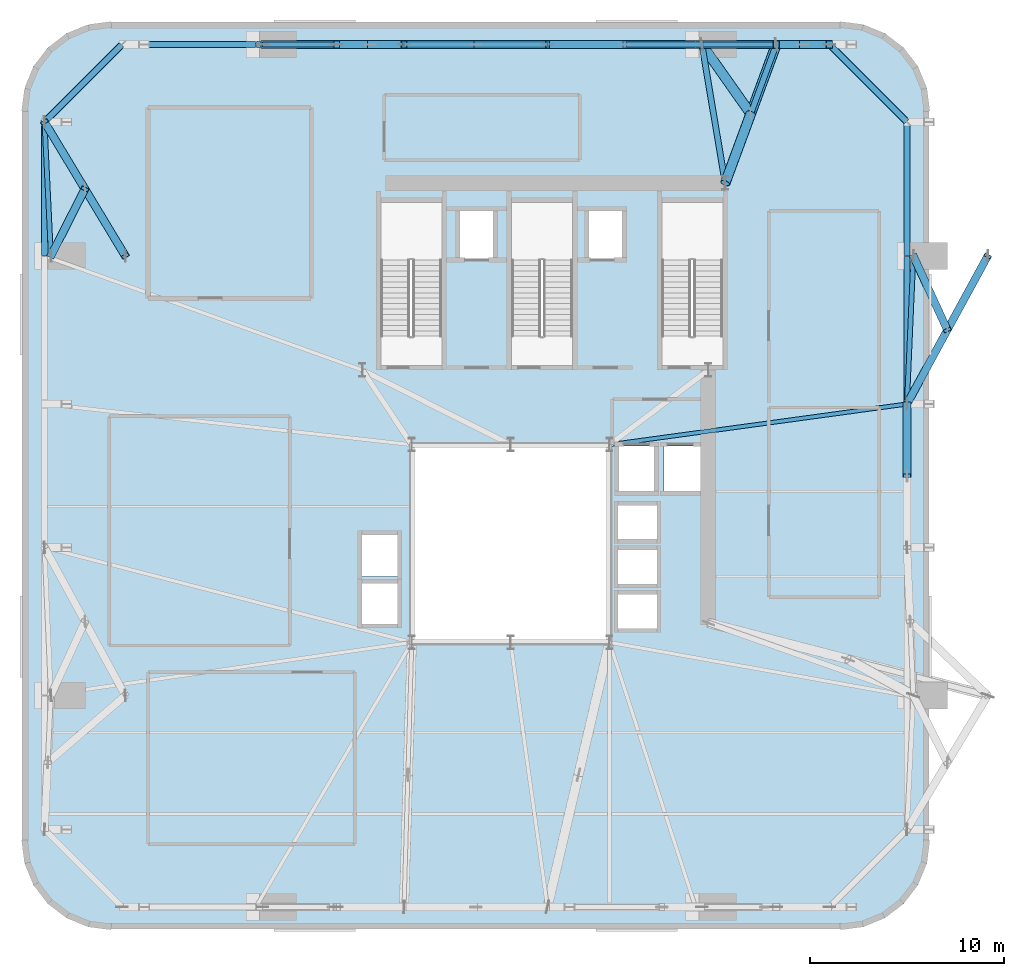
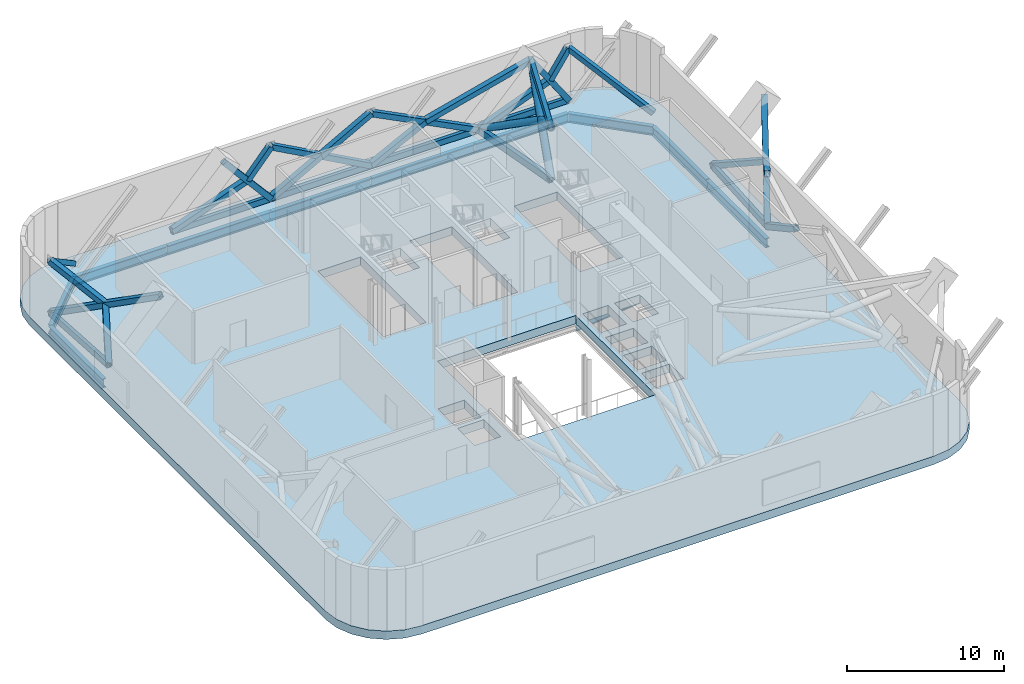
# One storey, part 5 of 14: 32 members, 11 beams, 1 slab.
"""IFC4 building model written with IfcOpenShell, lengths in metres."""

from ifc_helpers import new_model, si_unit, direction, frame, origin, origin_2d, place, context, subcontext, project, spatial, polyline, hollow_rectangle, hollow_circle, i_section, outline, extrude, source, transform, mapped, material, layer, layer_set, material_profile, profile_set, type_object, element, save


model = new_model("IFC4")

# Units and contexts
model_context = context("Model", 3, precision=1e-05, world=origin(), true_north=direction((0.0, 1.0)))
body_context = subcontext(model_context, "Body", "Model", "MODEL_VIEW")
ifc_project = project(units=[si_unit("LENGTHUNIT", "METRE"), si_unit("AREAUNIT", "SQUARE_METRE"), si_unit("VOLUMEUNIT", "CUBIC_METRE"), si_unit("PLANEANGLEUNIT", "RADIAN"), si_unit("MASSUNIT", "GRAM", prefix="KILO")], contexts=[model_context])

# Site, building, storey
site_placement = place(None, origin())
site = spatial("IfcSite", under=ifc_project, at=site_placement, CompositionType="ELEMENT")
building_placement = place(site_placement, origin())
building = spatial("IfcBuilding", under=site, at=building_placement, Name="Vardaveli Station Tower", CompositionType="ELEMENT")
storey_placement = place(building_placement, frame((0.0, 0.0, 237.300048828125)))
storey = spatial("IfcBuildingStorey", under=building, at=storey_placement, Name="L61", CompositionType="ELEMENT", Elevation=237.300048828125)

# Beams
ifc_material_1 = material(Name="Structural steel S460M", Category="steel")
ifc_material_profile_1 = material_profile(ifc_material_1, i_section(OverallWidth=0.303955078125, OverallDepth=0.716064453125, WebThickness=0.02099609375, FlangeThickness=0.0400390625, FilletRadius=0.027099609375, at=origin_2d()), Name="HEM 700")
ifc_profile_set_1 = profile_set([ifc_material_profile_1], Name="Structural steel S460M")
beam_type_1 = type_object("IfcBeamType", Name="BM-HEM700", PredefinedType="BEAM", material=ifc_profile_set_1)
shared_shape_1 = source(origin(), body_context, "Body", "SweptSolid", [
    extrude(i_section(OverallWidth=0.303955078125, OverallDepth=0.716064453125, WebThickness=0.02099609375, FlangeThickness=0.0400390625, FilletRadius=0.027099609375, at=origin_2d()), origin(), (0.0, 0.0, 1.0), 7.60009765625),
])
for number, where, z_axis, x_axis, name in (
    (1, (56.75, 28.919921875, -1.008056640625), (0.0, 1.0, 0.0), (-1.0, 0.0, 0.0), "RBM-L61-09"),
    (2, (45.820068359375, 47.449951171875, -1.008056640625), (-1.0, 0.0, 0.0), (0.0, -1.0, 0.0), "RBM-L61-13"),
    (3, (30.780029296875, 47.449951171875, -1.008056640625), (-1.0, 0.0, 0.0), (0.0, -1.0, 0.0), "RBM-L61-15"),
):
    element("IfcBeam", number, at=place(storey_placement, frame(where, z_axis=z_axis, x_axis=x_axis)), inside=storey, type_object=beam_type_1, Name=name, PredefinedType="BEAM", context=body_context, shape_type="MappedRepresentation", body=[
        mapped(shared_shape_1, transform((0.0, 0.0, 0.0), scale=1.0)),
    ])
shared_shape_2 = source(origin(), body_context, "Body", "SweptSolid", [
    extrude(i_section(OverallWidth=0.303955078125, OverallDepth=0.716064453125, WebThickness=0.02099609375, FlangeThickness=0.0400390625, FilletRadius=0.027099609375, at=origin_2d()), origin(), (0.0, 0.0, 1.0), 7.35986328125),
])
beam_1_placement = place(storey_placement, frame((38.179931640625, 47.449951171875, -1.008056640625), z_axis=(-1.0, 0.0, 0.0), x_axis=(0.0, -1.0, 0.0)))
element("IfcBeam", 4, at=beam_1_placement, inside=storey, type_object=beam_type_1, Name="RBM-L61-14", PredefinedType="BEAM", context=body_context, shape_type="MappedRepresentation", body=[
    mapped(shared_shape_2, transform((0.0, 0.0, 0.0), scale=1.0)),
])
shared_shape_3 = source(origin(), body_context, "Body", "SweptSolid", [
    extrude(i_section(OverallWidth=0.303955078125, OverallDepth=0.716064453125, WebThickness=0.02099609375, FlangeThickness=0.0400390625, FilletRadius=0.027099609375, at=origin_2d()), origin(), (0.0, 0.0, 1.0), 6.869873046875),
])
for number, where, z_axis, x_axis, name in (
    (5, (56.75, 36.56005859375, -1.008056640625), (0.0, 1.0, 0.0), (-1.0, 0.0, 0.0), "RBM-L61-10"),
    (6, (52.72998046875, 47.449951171875, -1.008056640625), (-1.0, 0.0, 0.0), (0.0, -1.0, 0.0), "RBM-L61-12"),
    (7, (23.139892578125, 47.449951171875, -1.008056640625), (-1.0, 0.0, 0.0), (0.0, -1.0, 0.0), "RBM-L61-16"),
    (8, (12.25, 43.429931640625, -1.008056640625), (0.0, -1.0, 0.0), (1.0, 0.0, 0.0), "RBM-L61-18"),
):
    element("IfcBeam", number, at=place(storey_placement, frame(where, z_axis=z_axis, x_axis=x_axis)), inside=storey, type_object=beam_type_1, Name=name, PredefinedType="BEAM", context=body_context, shape_type="MappedRepresentation", body=[
        mapped(shared_shape_3, transform((0.0, 0.0, 0.0), scale=1.0)),
    ])
shared_shape_4 = source(origin(), body_context, "Body", "SweptSolid", [
    extrude(i_section(OverallWidth=0.303955078125, OverallDepth=0.716064453125, WebThickness=0.02099609375, FlangeThickness=0.0400390625, FilletRadius=0.027099609375, at=origin_2d()), origin(), (0.0, 0.0, 1.0), 5.61669921875),
])
for number, where, z_axis, x_axis, name in (
    (9, (56.73583984375, 43.464111328125, -1.008056640625), (-0.707106781187, 0.707106781187, 0.0), (-0.707106781187, -0.707106781187, 0.0), "RBM-L61-11"),
    (10, (16.23583984375, 47.435791015625, -1.008056640625), (-0.707106781187, -0.707106781187, 0.0), (0.707106781187, -0.707106781187, 0.0), "RBM-L61-17"),
):
    element("IfcBeam", number, at=place(storey_placement, frame(where, z_axis=z_axis, x_axis=x_axis)), inside=storey, type_object=beam_type_1, Name=name, PredefinedType="BEAM", context=body_context, shape_type="MappedRepresentation", body=[
        mapped(shared_shape_4, transform((0.0, 0.0, 0.0), scale=1.0)),
    ])
ifc_material_2 = material(Name="Structural steel S355J2", Category="steel")
ifc_material_profile_2 = material_profile(ifc_material_2, i_section(OverallWidth=0.2099609375, OverallDepth=0.550048828125, WebThickness=0.010986328125, FlangeThickness=0.01708984375, FilletRadius=0.02392578125, at=origin_2d()), Name="IPE 550")
ifc_profile_set_2 = profile_set([ifc_material_profile_2], Name="Structural steel S355J2")
beam_type_2 = type_object("IfcBeamType", Name="BM-IPE550", PredefinedType="BEAM", material=ifc_profile_set_2)
shared_shape_5 = source(origin(), body_context, "Body", "SweptSolid", [
    extrude(i_section(OverallWidth=0.2099609375, OverallDepth=0.550048828125, WebThickness=0.010986328125, FlangeThickness=0.01708984375, FilletRadius=0.02392578125, at=origin_2d()), origin(), (0.0, 0.0, 1.0), 15.452880859375),
])
beam_2_placement = place(storey_placement, frame((56.730224609375, 28.897216796875, -0.925048828125), z_axis=(-0.99077191151, -0.135539733521, 0.0), x_axis=(0.135539733521, -0.99077191151, 0.0)))
element("IfcBeam", 11, at=beam_2_placement, inside=storey, type_object=beam_type_2, Name="GBM-L61-07", PredefinedType="BEAM", context=body_context, shape_type="MappedRepresentation", body=[
    mapped(shared_shape_5, transform((0.0, 0.0, 0.0), scale=1.0)),
])

# Members
ifc_material_profile_3 = material_profile(ifc_material_1, hollow_rectangle(XDim=0.25, YDim=0.449951171875, WallThickness=0.01611328125, at=origin_2d()), Name="RHS 450x250x16")
ifc_profile_set_3 = profile_set([ifc_material_profile_3], Name="Structural steel S460M")
member_type_1 = type_object("IfcMemberType", Name="MEM-CH-RHS450", PredefinedType="CHORD", material=ifc_profile_set_3)
shared_shape_6 = source(origin(), body_context, "Body", "SweptSolid", [
    extrude(hollow_rectangle(XDim=0.25, YDim=0.449951171875, WallThickness=0.01611328125, at=origin_2d()), origin(), (0.0, 0.0, 1.0), 7.308349609375),
])
member_1_placement = place(storey_placement, frame((30.800048828125, 47.449951171875, 0.349853515625), z_axis=(-1.0, 0.0, 0.0), x_axis=(0.0, -1.0, 0.0)))
element("IfcMember", 12, at=member_1_placement, inside=storey, type_object=member_type_1, Name="BLT-L61-CH-12", PredefinedType="CHORD", context=body_context, shape_type="MappedRepresentation", body=[
    mapped(shared_shape_6, transform((0.0, 0.0, 0.0), scale=1.0)),
])
shared_shape_7 = source(origin(), body_context, "Body", "SweptSolid", [
    extrude(hollow_rectangle(XDim=0.25, YDim=0.449951171875, WallThickness=0.01611328125, at=origin_2d()), origin(), (0.0, 0.0, 1.0), 7.39990234375),
])
member_2_placement = place(storey_placement, frame((38.199951171875, 47.449951171875, 0.349853515625), z_axis=(-1.0, 0.0, 0.0), x_axis=(0.0, -1.0, 0.0)))
element("IfcMember", 13, at=member_2_placement, inside=storey, type_object=member_type_1, Name="BLT-L61-CH-11", PredefinedType="CHORD", context=body_context, shape_type="MappedRepresentation", body=[
    mapped(shared_shape_7, transform((0.0, 0.0, 0.0), scale=1.0)),
])
ifc_material_profile_4 = material_profile(ifc_material_1, hollow_rectangle(XDim=0.39990234375, YDim=0.39990234375, WallThickness=0.02001953125, at=origin_2d()), Name="RHS 400x400x20")
ifc_profile_set_4 = profile_set([ifc_material_profile_4], Name="Structural steel S460M")
member_type_2 = type_object("IfcMemberType", Name="MEM-BR-RHS400", PredefinedType="BRACE", material=ifc_profile_set_4)
shared_shape_8 = source(origin(), body_context, "Body", "SweptSolid", [
    extrude(hollow_rectangle(XDim=0.39990234375, YDim=0.39990234375, WallThickness=0.02001953125, at=origin_2d()), origin(), (0.0, 0.0, 1.0), 8.435791015625),
])
member_3_placement = place(storey_placement, frame((38.199951171875, 47.449951171875, 0.349853515625), z_axis=(-0.877210039359, 0.0, 0.480106807751), x_axis=(0.0, -1.0, 0.0)))
element("IfcMember", 14, at=member_3_placement, inside=storey, type_object=member_type_2, Name="BLT-L61-D1-11", PredefinedType="BRACE", context=body_context, shape_type="MappedRepresentation", body=[
    mapped(shared_shape_8, transform((0.0, 0.0, 0.0), scale=1.0)),
])
shared_shape_9 = source(origin(), body_context, "Body", "SweptSolid", [
    extrude(hollow_rectangle(XDim=0.39990234375, YDim=0.39990234375, WallThickness=0.02001953125, at=origin_2d()), origin(), (0.0, 0.0, 1.0), 4.218017578125),
])
for number, where, z_axis, x_axis, name in (
    (15, (56.75, 28.89990234375, 0.349853515625), (0.0, -0.877197850497, 0.480129077524), (1.0, 0.0, 0.0), "BLT-L61-D2A-07"),
    (16, (30.800048828125, 47.449951171875, 0.349853515625), (0.877197850497, 0.0, 0.480129077524), (0.0, 1.0, 0.0), "BLT-L61-D2A-11"),
):
    element("IfcMember", number, at=place(storey_placement, frame(where, z_axis=z_axis, x_axis=x_axis)), inside=storey, type_object=member_type_2, Name=name, PredefinedType="BRACE", context=body_context, shape_type="MappedRepresentation", body=[
        mapped(shared_shape_9, transform((0.0, 0.0, 0.0), scale=1.0)),
    ])
shared_shape_10 = source(origin(), body_context, "Body", "SweptSolid", [
    extrude(hollow_rectangle(XDim=0.39990234375, YDim=0.39990234375, WallThickness=0.02001953125, at=origin_2d()), origin(), (0.0, 0.0, 1.0), 4.2177734375),
])
member_4_placement = place(storey_placement, frame((34.5, 47.449951171875, 2.375), z_axis=(0.877222227994, 0.0, 0.480084537049), x_axis=(0.0, 1.0, 0.0)))
element("IfcMember", 17, at=member_4_placement, inside=storey, type_object=member_type_2, Name="BLT-L61-D2B-11", PredefinedType="BRACE", context=body_context, shape_type="MappedRepresentation", body=[
    mapped(shared_shape_10, transform((0.0, 0.0, 0.0), scale=1.0)),
])
shared_shape_11 = source(origin(), body_context, "Body", "SweptSolid", [
    extrude(hollow_rectangle(XDim=0.25, YDim=0.449951171875, WallThickness=0.01611328125, at=origin_2d()), origin(), (0.0, 0.0, 1.0), 7.9716796875),
])
member_5_placement = place(storey_placement, frame((46.171630859375, 47.449951171875, 0.349853515625), z_axis=(-1.0, 0.0, 0.0), x_axis=(0.0, -1.0, 0.0)))
element("IfcMember", 18, at=member_5_placement, inside=storey, type_object=member_type_1, Name="BLT-L61-CH-10", PredefinedType="CHORD", context=body_context, shape_type="MappedRepresentation", body=[
    mapped(shared_shape_11, transform((0.0, 0.0, 0.0), scale=1.0)),
])
shared_shape_12 = source(origin(), body_context, "Body", "SweptSolid", [
    extrude(hollow_rectangle(XDim=0.25, YDim=0.449951171875, WallThickness=0.01611328125, at=origin_2d()), origin(), (0.0, 0.0, 1.0), 6.578369140625),
])
member_6_placement = place(storey_placement, frame((52.75, 47.449951171875, 0.349853515625), z_axis=(-1.0, 0.0, 0.0), x_axis=(0.0, -1.0, 0.0)))
element("IfcMember", 19, at=member_6_placement, inside=storey, type_object=member_type_1, Name="BLT-L61-CH-09", PredefinedType="CHORD", context=body_context, shape_type="MappedRepresentation", body=[
    mapped(shared_shape_12, transform((0.0, 0.0, 0.0), scale=1.0)),
])
shared_shape_13 = source(origin(), body_context, "Body", "SweptSolid", [
    extrude(hollow_rectangle(XDim=0.39990234375, YDim=0.39990234375, WallThickness=0.02001953125, at=origin_2d()), origin(), (0.0, 0.0, 1.0), 4.37158203125),
])
member_7_placement = place(storey_placement, frame((12.58154296875, 36.5400390625, 0.349853515625), z_axis=(0.400927479956, 0.790350424341, 0.463253022181), x_axis=(-0.89181581989, 0.452398655384, 0.0)))
element("IfcMember", 20, at=member_7_placement, inside=storey, type_object=member_type_2, Name="BLT-L61-D2A-13", PredefinedType="BRACE", context=body_context, shape_type="MappedRepresentation", body=[
    mapped(shared_shape_13, transform((0.0, 0.0, 0.0), scale=1.0)),
])
shared_shape_14 = source(origin(), body_context, "Body", "SweptSolid", [
    extrude(hollow_rectangle(XDim=0.25, YDim=0.449951171875, WallThickness=0.01611328125, at=origin_2d()), origin(), (0.0, 0.0, 1.0), 7.647216796875),
])
member_8_placement = place(storey_placement, frame((56.75, 28.89990234375, 0.349853515625), z_axis=(0.043354098753, 0.999059769044, 0.0), x_axis=(-0.999059769044, 0.043354098753, 0.0)))
element("IfcMember", 21, at=member_8_placement, inside=storey, type_object=member_type_1, Name="BLT-L61-CH-08", PredefinedType="CHORD", context=body_context, shape_type="MappedRepresentation", body=[
    mapped(shared_shape_14, transform((0.0, 0.0, 0.0), scale=1.0)),
])
shared_shape_15 = source(origin(), body_context, "Body", "SweptSolid", [
    extrude(hollow_rectangle(XDim=0.39990234375, YDim=0.39990234375, WallThickness=0.02001953125, at=origin_2d()), origin(), (0.0, 0.0, 1.0), 9.599609375),
])
member_9_placement = place(storey_placement, frame((56.75, 28.89990234375, 0.349853515625), z_axis=(0.434236376103, 0.795888084442, 0.421901560453), x_axis=(-0.877841965924, 0.478950397079, 0.0)))
element("IfcMember", 22, at=member_9_placement, inside=storey, type_object=member_type_2, Name="BLT-L61-D1-08", PredefinedType="BRACE", context=body_context, shape_type="MappedRepresentation", body=[
    mapped(shared_shape_15, transform((0.0, 0.0, 0.0), scale=1.0)),
])
shared_shape_16 = source(origin(), body_context, "Body", "SweptSolid", [
    extrude(hollow_rectangle(XDim=0.39990234375, YDim=0.39990234375, WallThickness=0.02001953125, at=origin_2d()), origin(), (0.0, 0.0, 1.0), 4.66552734375),
])
member_10_placement = place(storey_placement, frame((57.08154296875, 36.5400390625, 0.349853515625), z_axis=(0.375676667061, -0.818806631773, 0.434076884423), x_axis=(0.908900656286, 0.417012706045, 0.0)))
element("IfcMember", 23, at=member_10_placement, inside=storey, type_object=member_type_2, Name="BLT-L61-D2A-08", PredefinedType="BRACE", context=body_context, shape_type="MappedRepresentation", body=[
    mapped(shared_shape_16, transform((0.0, 0.0, 0.0), scale=1.0)),
])
shared_shape_17 = source(origin(), body_context, "Body", "SweptSolid", [
    extrude(hollow_rectangle(XDim=0.39990234375, YDim=0.39990234375, WallThickness=0.02001953125, at=origin_2d()), origin(), (0.0, 0.0, 1.0), 4.7998046875),
])
member_11_placement = place(storey_placement, frame((58.834228515625, 32.719970703125, 2.375), z_axis=(-0.434241035419, -0.795896624247, 0.421880654535), x_axis=(0.877841965924, -0.478950397079, 0.0)))
element("IfcMember", 24, at=member_11_placement, inside=storey, type_object=member_type_2, Name="BLT-L61-D2B-08", PredefinedType="BRACE", context=body_context, shape_type="MappedRepresentation", body=[
    mapped(shared_shape_17, transform((0.0, 0.0, 0.0), scale=1.0)),
])
shared_shape_18 = source(origin(), body_context, "Body", "SweptSolid", [
    extrude(hollow_rectangle(XDim=0.39990234375, YDim=0.39990234375, WallThickness=0.02001953125, at=origin_2d()), origin(), (0.0, 0.0, 1.0), 4.890869140625),
])
member_12_placement = place(storey_placement, frame((52.75, 47.449951171875, 0.349853515625), z_axis=(-0.560584317928, 0.0, 0.828097350855), x_axis=(0.0, -1.0, 0.0)))
element("IfcMember", 25, at=member_12_placement, inside=storey, type_object=member_type_2, Name="BLT-L61-D1-09", PredefinedType="BRACE", context=body_context, shape_type="MappedRepresentation", body=[
    mapped(shared_shape_18, transform((0.0, 0.0, 0.0), scale=1.0)),
])
shared_shape_19 = source(origin(), body_context, "Body", "SweptSolid", [
    extrude(hollow_rectangle(XDim=0.39990234375, YDim=0.39990234375, WallThickness=0.02001953125, at=origin_2d()), origin(), (0.0, 0.0, 1.0), 5.58740234375),
])
member_13_placement = place(storey_placement, frame((46.171630859375, 47.449951171875, 0.349853515625), z_axis=(0.932004671541, 0.0, 0.362446261155), x_axis=(0.0, 1.0, 0.0)))
element("IfcMember", 26, at=member_13_placement, inside=storey, type_object=member_type_2, Name="BLT-L61-D2A-09", PredefinedType="BRACE", context=body_context, shape_type="MappedRepresentation", body=[
    mapped(shared_shape_19, transform((0.0, 0.0, 0.0), scale=1.0)),
])
shared_shape_20 = source(origin(), body_context, "Body", "SweptSolid", [
    extrude(hollow_rectangle(XDim=0.39990234375, YDim=0.39990234375, WallThickness=0.02001953125, at=origin_2d()), origin(), (0.0, 0.0, 1.0), 2.4453125),
])
member_14_placement = place(storey_placement, frame((51.379150390625, 47.449951171875, 2.375), z_axis=(0.560607491734, 0.0, 0.828081662768), x_axis=(0.0, 1.0, 0.0)))
element("IfcMember", 27, at=member_14_placement, inside=storey, type_object=member_type_2, Name="BLT-L61-D2B-09", PredefinedType="BRACE", context=body_context, shape_type="MappedRepresentation", body=[
    mapped(shared_shape_20, transform((0.0, 0.0, 0.0), scale=1.0)),
])
shared_shape_21 = source(origin(), body_context, "Body", "SweptSolid", [
    extrude(hollow_rectangle(XDim=0.39990234375, YDim=0.39990234375, WallThickness=0.02001953125, at=origin_2d()), origin(), (0.0, 0.0, 1.0), 8.94140625),
])
member_15_placement = place(storey_placement, frame((46.171630859375, 47.449951171875, 0.349853515625), z_axis=(-0.891536341157, 0.0, 0.452949171979), x_axis=(0.0, -1.0, 0.0)))
element("IfcMember", 28, at=member_15_placement, inside=storey, type_object=member_type_2, Name="BLT-L61-D1-10", PredefinedType="BRACE", context=body_context, shape_type="MappedRepresentation", body=[
    mapped(shared_shape_21, transform((0.0, 0.0, 0.0), scale=1.0)),
])
shared_shape_22 = source(origin(), body_context, "Body", "SweptSolid", [
    extrude(hollow_rectangle(XDim=0.39990234375, YDim=0.39990234375, WallThickness=0.02001953125, at=origin_2d()), origin(), (0.0, 0.0, 1.0), 4.470703125),
])
member_16_placement = place(storey_placement, frame((38.199951171875, 47.449951171875, 0.349853515625), z_axis=(0.891525315034, 0.0, 0.452970873956), x_axis=(0.0, 1.0, 0.0)))
element("IfcMember", 29, at=member_16_placement, inside=storey, type_object=member_type_2, Name="BLT-L61-D2A-10", PredefinedType="BRACE", context=body_context, shape_type="MappedRepresentation", body=[
    mapped(shared_shape_22, transform((0.0, 0.0, 0.0), scale=1.0)),
])
shared_shape_23 = source(origin(), body_context, "Body", "SweptSolid", [
    extrude(hollow_rectangle(XDim=0.39990234375, YDim=0.39990234375, WallThickness=0.02001953125, at=origin_2d()), origin(), (0.0, 0.0, 1.0), 8.080322265625),
])
member_17_placement = place(storey_placement, frame((42.185791015625, 47.449951171875, 2.375), z_axis=(0.968091704543, 0.0, 0.2505961923), x_axis=(0.0, 1.0, 0.0)))
element("IfcMember", 30, at=member_17_placement, inside=storey, type_object=member_type_2, Name="BLT-L61-D2B-10", PredefinedType="BRACE", context=body_context, shape_type="MappedRepresentation", body=[
    mapped(shared_shape_23, transform((0.0, 0.0, 0.0), scale=1.0)),
])
shared_shape_24 = source(origin(), body_context, "Body", "SweptSolid", [
    extrude(hollow_rectangle(XDim=0.39990234375, YDim=0.39990234375, WallThickness=0.02001953125, at=origin_2d()), origin(), (0.0, 0.0, 1.0), 5.33447265625),
])
member_18_placement = place(storey_placement, frame((30.800048828125, 47.449951171875, 0.349853515625), z_axis=(-0.650813987701, 0.0, 0.759237218142), x_axis=(0.0, -1.0, 0.0)))
element("IfcMember", 31, at=member_18_placement, inside=storey, type_object=member_type_2, Name="BLT-L61-D1-12", PredefinedType="BRACE", context=body_context, shape_type="MappedRepresentation", body=[
    mapped(shared_shape_24, transform((0.0, 0.0, 0.0), scale=1.0)),
])
shared_shape_25 = source(origin(), body_context, "Body", "SweptSolid", [
    extrude(hollow_rectangle(XDim=0.39990234375, YDim=0.39990234375, WallThickness=0.02001953125, at=origin_2d()), origin(), (0.0, 0.0, 1.0), 5.92919921875),
])
member_19_placement = place(storey_placement, frame((23.49169921875, 47.449951171875, 0.349853515625), z_axis=(0.93985952916, 0.0, 0.341561217716), x_axis=(0.0, 1.0, 0.0)))
element("IfcMember", 32, at=member_19_placement, inside=storey, type_object=member_type_2, Name="BLT-L61-D2A-12", PredefinedType="BRACE", context=body_context, shape_type="MappedRepresentation", body=[
    mapped(shared_shape_25, transform((0.0, 0.0, 0.0), scale=1.0)),
])
shared_shape_26 = source(origin(), body_context, "Body", "SweptSolid", [
    extrude(hollow_rectangle(XDim=0.39990234375, YDim=0.39990234375, WallThickness=0.02001953125, at=origin_2d()), origin(), (0.0, 0.0, 1.0), 2.6669921875),
])
member_20_placement = place(storey_placement, frame((29.064208984375, 47.449951171875, 2.375), z_axis=(0.650836602941, 0.0, 0.759217831898), x_axis=(0.0, 1.0, 0.0)))
element("IfcMember", 33, at=member_20_placement, inside=storey, type_object=member_type_2, Name="BLT-L61-D2B-12", PredefinedType="BRACE", context=body_context, shape_type="MappedRepresentation", body=[
    mapped(shared_shape_26, transform((0.0, 0.0, 0.0), scale=1.0)),
])
shared_shape_27 = source(origin(), body_context, "Body", "SweptSolid", [
    extrude(hollow_rectangle(XDim=0.25, YDim=0.449951171875, WallThickness=0.01611328125, at=origin_2d()), origin(), (0.0, 0.0, 1.0), 6.91796875),
])
member_21_placement = place(storey_placement, frame((12.25, 43.449951171875, 0.349853515625), z_axis=(0.047925645, -0.998850906067, 0.0), x_axis=(0.998850906067, 0.047925645, 0.0)))
element("IfcMember", 34, at=member_21_placement, inside=storey, type_object=member_type_1, Name="BLT-L61-CH-13", PredefinedType="CHORD", context=body_context, shape_type="MappedRepresentation", body=[
    mapped(shared_shape_27, transform((0.0, 0.0, 0.0), scale=1.0)),
])
shared_shape_28 = source(origin(), body_context, "Body", "SweptSolid", [
    extrude(hollow_rectangle(XDim=0.39990234375, YDim=0.39990234375, WallThickness=0.02001953125, at=origin_2d()), origin(), (0.0, 0.0, 1.0), 9.029052734375),
])
member_22_placement = place(storey_placement, frame((12.25, 43.449951171875, 0.349853515625), z_axis=(0.46166585472, -0.765288080482, 0.448551883797), x_axis=(0.856259874357, 0.516545281234, 0.0)))
element("IfcMember", 35, at=member_22_placement, inside=storey, type_object=member_type_2, Name="BLT-L61-D1-13", PredefinedType="BRACE", context=body_context, shape_type="MappedRepresentation", body=[
    mapped(shared_shape_28, transform((0.0, 0.0, 0.0), scale=1.0)),
])
shared_shape_29 = source(origin(), body_context, "Body", "SweptSolid", [
    extrude(hollow_rectangle(XDim=0.39990234375, YDim=0.39990234375, WallThickness=0.02001953125, at=origin_2d()), origin(), (0.0, 0.0, 1.0), 4.514404296875),
])
member_23_placement = place(storey_placement, frame((14.334228515625, 39.9951171875, 2.375), z_axis=(-0.461681007537, 0.765286158798, 0.448539566184), x_axis=(-0.856251801881, -0.516558662473, 0.0)))
element("IfcMember", 36, at=member_23_placement, inside=storey, type_object=member_type_2, Name="BLT-L61-D2B-13", PredefinedType="BRACE", context=body_context, shape_type="MappedRepresentation", body=[
    mapped(shared_shape_29, transform((0.0, 0.0, 0.0), scale=1.0)),
])
ifc_material_profile_5 = material_profile(ifc_material_1, hollow_rectangle(XDim=0.35009765625, YDim=0.35009765625, WallThickness=0.01611328125, at=origin_2d()), Name="RHS 350x350x16")
ifc_profile_set_5 = profile_set([ifc_material_profile_5], Name="Structural steel S460M")
member_type_3 = type_object("IfcMemberType", Name="MEM-ST-RHS350", PredefinedType="STRUT", material=ifc_profile_set_5)
shared_shape_30 = source(origin(), body_context, "Body", "SweptSolid", [
    extrude(hollow_rectangle(XDim=0.35009765625, YDim=0.35009765625, WallThickness=0.01611328125, at=origin_2d()), origin(), (0.0, 0.0, 1.0), 6.957275390625),
])
for number, where, z_axis, x_axis, name in (
    (37, (56.75, 43.449951171875, 0.349853515625), (-0.574942376987, 0.574942376987, 0.582136175039), (-0.707106781187, -0.707106781187, 0.0), "STRUT-L61-3"),
    (38, (16.25, 47.449951171875, 0.349853515625), (-0.574942376987, -0.574942376987, 0.582136175039), (0.707106781187, -0.707106781187, 0.0), "STRUT-L61-4"),
):
    element("IfcMember", number, at=place(storey_placement, frame(where, z_axis=z_axis, x_axis=x_axis)), inside=storey, type_object=member_type_3, Name=name, PredefinedType="STRUT", context=body_context, shape_type="MappedRepresentation", body=[
        mapped(shared_shape_30, transform((0.0, 0.0, 0.0), scale=1.0)),
    ])
ifc_material_profile_6 = material_profile(ifc_material_1, hollow_rectangle(XDim=0.300048828125, YDim=0.5, WallThickness=0.02001953125, at=origin_2d()), Name="RHS 500x300x20")
ifc_profile_set_6 = profile_set([ifc_material_profile_6], Name="Structural steel S460M")
member_type_4 = type_object("IfcMemberType", Name="MEM-CH-RHS500", PredefinedType="CHORD", material=ifc_profile_set_6)
shared_shape_31 = source(origin(), body_context, "Body", "SweptSolid", [
    extrude(hollow_rectangle(XDim=0.300048828125, YDim=0.5, WallThickness=0.02001953125, at=origin_2d()), origin(), (0.0, 0.0, 1.0), 7.249755859375),
])
member_24_placement = place(storey_placement, frame((47.3701171875, 40.300048828125, 0.349853515625), z_axis=(-0.165316364541, 0.986240589113, 0.0), x_axis=(-0.986240589113, -0.165316364541, 0.0)))
element("IfcMember", 39, at=member_24_placement, inside=storey, type_object=member_type_4, Name="OUT-L61-OA4-CHB", PredefinedType="CHORD", context=body_context, shape_type="MappedRepresentation", body=[
    mapped(shared_shape_31, transform((0.0, 0.0, 0.0), scale=1.0)),
])
shared_shape_32 = source(origin(), body_context, "Body", "SweptSolid", [
    extrude(hollow_rectangle(XDim=0.300048828125, YDim=0.5, WallThickness=0.02001953125, at=origin_2d()), origin(), (0.0, 0.0, 1.0), 7.62109375),
])
member_25_placement = place(storey_placement, frame((47.3701171875, 40.300048828125, 4.39990234375), z_axis=(0.346168493634, 0.938172358373, 0.0), x_axis=(-0.938172358373, 0.346168493634, 0.0)))
element("IfcMember", 40, at=member_25_placement, inside=storey, type_object=member_type_4, Name="OUT-L61-OA4-CHT", PredefinedType="CHORD", context=body_context, shape_type="MappedRepresentation", body=[
    mapped(shared_shape_32, transform((0.0, 0.0, 0.0), scale=1.0)),
])
ifc_material_profile_7 = material_profile(ifc_material_1, hollow_circle(Radius=0.25390625, WallThickness=0.02490234375, at=origin_2d()), Name="CHS 508x25")
ifc_profile_set_7 = profile_set([ifc_material_profile_7], Name="Structural steel S460M")
member_type_5 = type_object("IfcMemberType", Name="MEM-BR-CHS508", PredefinedType="BRACE", material=ifc_profile_set_7)
shared_shape_33 = source(origin(), body_context, "Body", "SweptSolid", [
    extrude(hollow_circle(Radius=0.25390625, WallThickness=0.02490234375, at=origin_2d()), origin(), (0.0, 0.0, 1.0), 8.63037109375),
])
member_26_placement = place(storey_placement, frame((47.3701171875, 40.300048828125, 0.349853515625), z_axis=(0.305684547425, 0.828454345354, 0.46927641655), x_axis=(-0.938172358373, 0.346168493634, 0.0)))
element("IfcMember", 41, at=member_26_placement, inside=storey, type_object=member_type_5, Name="OUT-L61-OA4-D1", PredefinedType="BRACE", context=body_context, shape_type="MappedRepresentation", body=[
    mapped(shared_shape_33, transform((0.0, 0.0, 0.0), scale=1.0)),
])
shared_shape_34 = source(origin(), body_context, "Body", "SweptSolid", [
    extrude(hollow_circle(Radius=0.25390625, WallThickness=0.02490234375, at=origin_2d()), origin(), (0.0, 0.0, 1.0), 4.818603515625),
])
member_27_placement = place(storey_placement, frame((46.171630859375, 47.449951171875, 0.349853515625), z_axis=(0.522462004574, -0.741894019878, 0.420269814579), x_axis=(0.817604898962, 0.575779670702, 0.0)))
element("IfcMember", 42, at=member_27_placement, inside=storey, type_object=member_type_5, Name="OUT-L61-OA4-D2A", PredefinedType="BRACE", context=body_context, shape_type="MappedRepresentation", body=[
    mapped(shared_shape_34, transform((0.0, 0.0, 0.0), scale=1.0)),
])
shared_shape_35 = source(origin(), body_context, "Body", "SweptSolid", [
    extrude(hollow_circle(Radius=0.25390625, WallThickness=0.02490234375, at=origin_2d()), origin(), (0.0, 0.0, 1.0), 4.315185546875),
])
member_28_placement = place(storey_placement, frame((48.689208984375, 43.875, 2.375), z_axis=(-0.305688605371, -0.828465343042, 0.469254357385), x_axis=(0.938172358373, -0.346168493634, 0.0)))
element("IfcMember", 43, at=member_28_placement, inside=storey, type_object=member_type_5, Name="OUT-L61-OA4-D2B", PredefinedType="BRACE", context=body_context, shape_type="MappedRepresentation", body=[
    mapped(shared_shape_35, transform((0.0, 0.0, 0.0), scale=1.0)),
])

# Slab
ifc_material_3 = material(Name="Concrete C50/60", Category="concrete")
ifc_layer = layer(ifc_material_3, 0.64990234375, Name="Concrete C50/60")
ifc_layer_set = layer_set([ifc_layer], Name="Concrete C50/60")
slab_type = type_object("IfcSlabType", Name="SLB-TRANS-600", PredefinedType="FLOOR", material=ifc_layer_set)
slab_placement = place(storey_placement, frame((0.0, 0.0, -0.650146484375)))
element("IfcSlab", 44, at=slab_placement, inside=storey, type_object=slab_type, Name="SLB-L61-MAIN", PredefinedType="FLOOR", context=body_context, shape_type="SweptSolid", body=[
    extrude(outline(polyline([(11.10009765625, 6.300048828125), (11.25341796875, 5.13525390625), (11.702880859375, 4.050048828125), (12.41796875, 3.117919921875), (13.35009765625, 2.40283203125), (14.435302734375, 1.953369140625), (15.60009765625, 1.800048828125), (53.39990234375, 1.800048828125), (54.564697265625, 1.953369140625), (55.64990234375, 2.40283203125), (56.58203125, 3.117919921875), (57.297119140625, 4.050048828125), (57.74658203125, 5.13525390625), (57.89990234375, 6.300048828125), (57.89990234375, 44.10009765625), (57.74658203125, 45.2646484375), (57.297119140625, 46.35009765625), (56.58203125, 47.281982421875), (55.64990234375, 47.9970703125), (54.564697265625, 48.44677734375), (53.39990234375, 48.60009765625), (15.60009765625, 48.60009765625), (14.435302734375, 48.44677734375), (13.35009765625, 47.9970703125), (12.41796875, 47.281982421875), (11.702880859375, 46.35009765625), (11.25341796875, 45.2646484375), (11.10009765625, 44.10009765625), (11.10009765625, 6.300048828125)]), holes=[polyline([(31.199951171875, 16.60009765625), (41.39990234375, 16.60009765625), (41.39990234375, 26.800048828125), (31.199951171875, 26.800048828125), (31.199951171875, 16.60009765625)]), polyline([(32.75, 30.89990234375), (32.75, 39.300048828125), (29.60009765625, 39.300048828125), (29.60009765625, 30.89990234375), (32.75, 30.89990234375)]), polyline([(39.5, 30.89990234375), (39.5, 39.300048828125), (36.35009765625, 39.300048828125), (36.35009765625, 30.89990234375), (39.5, 30.89990234375)]), polyline([(47.25, 30.89990234375), (47.25, 39.300048828125), (44.10009765625, 39.300048828125), (44.10009765625, 30.89990234375), (47.25, 30.89990234375)]), polyline([(33.659912109375, 36.409912109375), (35.43994140625, 36.409912109375), (35.43994140625, 38.889892578125), (33.659912109375, 38.889892578125), (33.659912109375, 36.409912109375)]), polyline([(40.31005859375, 36.409912109375), (42.090087890625, 36.409912109375), (42.090087890625, 38.889892578125), (40.31005859375, 38.889892578125), (40.31005859375, 36.409912109375)]), polyline([(41.81005859375, 21.885009765625), (43.889892578125, 21.885009765625), (43.889892578125, 23.715087890625), (41.81005859375, 23.715087890625), (41.81005859375, 21.885009765625)]), polyline([(41.81005859375, 19.5849609375), (43.889892578125, 19.5849609375), (43.889892578125, 21.4150390625), (41.81005859375, 21.4150390625), (41.81005859375, 19.5849609375)]), polyline([(41.81005859375, 17.284912109375), (43.889892578125, 17.284912109375), (43.889892578125, 19.114990234375), (41.81005859375, 19.114990234375), (41.81005859375, 17.284912109375)]), polyline([(28.5849609375, 17.510009765625), (30.514892578125, 17.510009765625), (30.514892578125, 19.68994140625), (28.5849609375, 19.68994140625), (28.5849609375, 17.510009765625)]), polyline([(28.5849609375, 20.010009765625), (30.514892578125, 20.010009765625), (30.514892578125, 22.18994140625), (28.5849609375, 22.18994140625), (28.5849609375, 20.010009765625)]), polyline([(41.860107421875, 24.360107421875), (43.739990234375, 24.360107421875), (43.739990234375, 26.739990234375), (41.860107421875, 26.739990234375), (41.860107421875, 24.360107421875)]), polyline([(44.2099609375, 24.360107421875), (46.090087890625, 24.360107421875), (46.090087890625, 26.739990234375), (44.2099609375, 26.739990234375), (44.2099609375, 24.360107421875)])]), origin(), (0.0, 0.0, 1.0), 0.650146484375),
])

save(model, "model.ifc")
